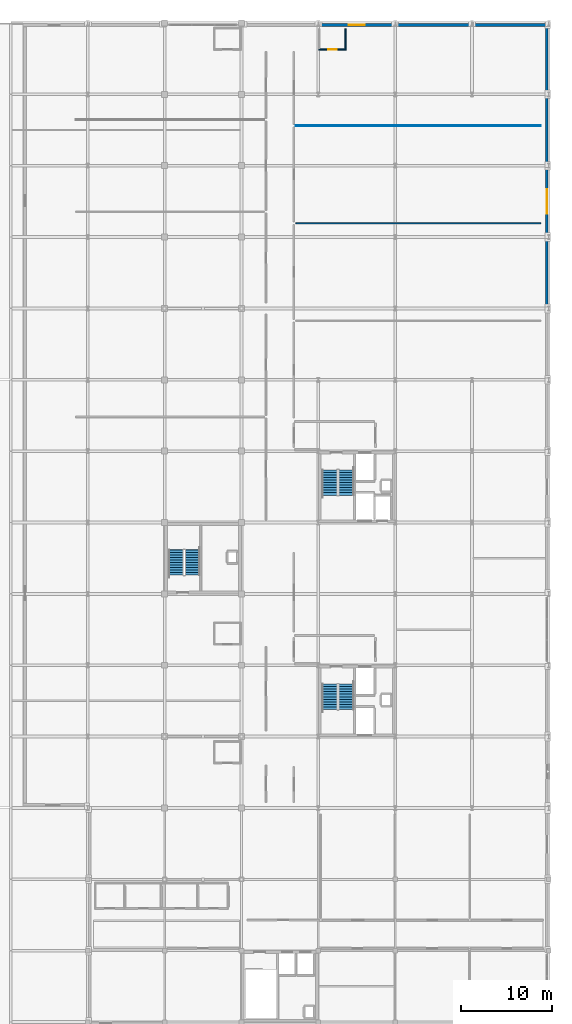
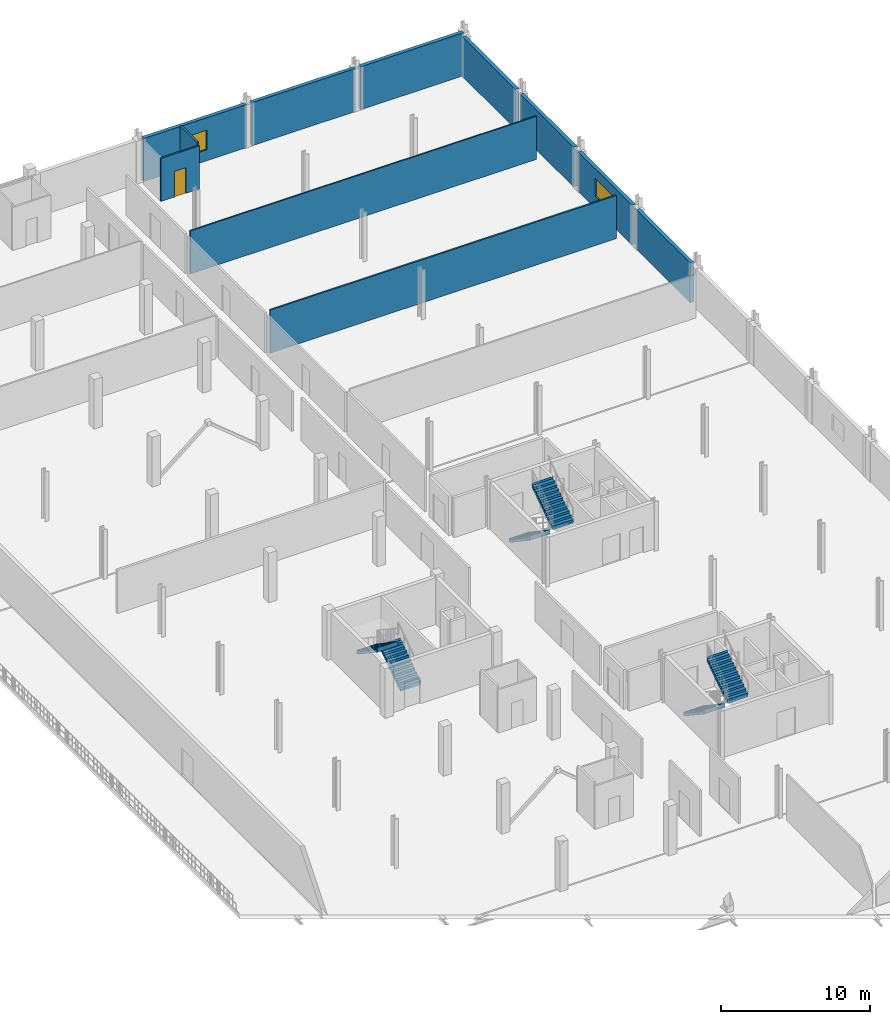
# One storey, part 32 of 41: 11 walls, 6 stair flights, 2 windows, 1 door, 3 openings, 3 elements without a shape of their own.
"""IFC4 building model written with IfcOpenShell, lengths in metres."""

from ifc_helpers import new_model, si_unit, direction, frame, frame_2d, origin, place, context, subcontext, project, spatial, polyline, rectangle, outline, extrude, material, layer, layer_set, type_object, element, fill, aggregate, save


model = new_model("IFC4")

# Units and contexts
model_context = context("Model", 3, precision=1e-05, world=origin(), true_north=direction((0.0, 1.0)))
body_context = subcontext(model_context, "Body", "Model", "MODEL_VIEW")
ifc_project = project(units=[si_unit("LENGTHUNIT", "METRE"), si_unit("AREAUNIT", "SQUARE_METRE"), si_unit("VOLUMEUNIT", "CUBIC_METRE"), si_unit("PLANEANGLEUNIT", "RADIAN"), si_unit("MASSUNIT", "GRAM", prefix="KILO")], contexts=[model_context])

# Site, building, storey
site_placement = place(None, origin())
site = spatial("IfcSite", under=ifc_project, at=site_placement, CompositionType="ELEMENT")
building_placement = place(site_placement, origin())
building = spatial("IfcBuilding", under=site, at=building_placement, Name="Nabrawat Pavilion Hospital", CompositionType="ELEMENT")
storey_placement = place(building_placement, frame((0.0, 0.0, 18.89990234375)))
storey = spatial("IfcBuildingStorey", under=building, at=storey_placement, Name="L04", CompositionType="ELEMENT", Elevation=18.89990234375)

# Wall
ifc_material_1 = material(Name="Gypsum Plasterboard on Stud", Category="gypsum")
ifc_layer_1 = layer(ifc_material_1, 0.10009765625, Name="Gypsum Plasterboard on Stud")
ifc_layer_set_1 = layer_set([ifc_layer_1], Name="Gypsum Plasterboard on Stud")
wall_type_1 = type_object("IfcWallType", Name="Clean Utility Sub-Partition 100", PredefinedType="PARTITIONING", material=ifc_layer_set_1)
wall_1_placement = place(storey_placement, frame((165.534912109375, 113.58740234375, 0.0), z_axis=(0.0, 0.0, 1.0), x_axis=(1.0, 0.0, 0.0)))
element("IfcWall", 1, at=wall_1_placement, inside=storey, type_object=wall_type_1, Name="L04 Paediatric Subspecialty Day-Treatment Ward L04-12 Dividing Partition", PredefinedType="PARTITIONING", context=body_context, shape_type="SweptSolid", body=[
    extrude(rectangle(XDim=26.775146484375, YDim=0.10009765625, at=frame_2d((13.3876953125, 0.0))), origin(), (0.0, 0.0, 1.0), 3.530029296875),
])

# Wall, opening, door
ifc_material_2 = material(Name="Cement Board on Steel Stud", Category="steel")
ifc_layer_2 = layer(ifc_material_2, 0.1298828125, Name="Cement Board on Steel Stud")
ifc_layer_set_2 = layer_set([ifc_layer_2], Name="Cement Board on Steel Stud")
wall_type_2 = type_object("IfcWallType", Name="En-Suite Moisture-Resistant Partition 130", PredefinedType="PARTITIONING", material=ifc_layer_set_2)
wall_2_placement = place(storey_placement, frame((168.050048828125, 121.909912109375, 0.0), z_axis=(0.0, 0.0, 1.0), x_axis=(1.0, 0.0, 0.0)))
wall_2 = element("IfcWall", 2, at=wall_2_placement, inside=storey, type_object=wall_type_2, Name="L04 En-Suite Bathroom WRD-PED-13 Front Partition", PredefinedType="PARTITIONING", context=body_context, shape_type="SweptSolid", body=[
    extrude(rectangle(XDim=2.97998046875, YDim=0.1298828125, at=frame_2d((1.489990234375, 0.0))), origin(), (0.0, 0.0, 1.0), 3.52001953125),
])
opening_1_placement = place(wall_2_placement, frame((1.0400390625, 0.0, 0.0)))
opening_1 = element("IfcOpeningElement", 3, at=opening_1_placement, cuts=wall_2, Name="Opening D-ENS-L", PredefinedType="OPENING", context=body_context, shape_type="SweptSolid", body=[
    extrude(rectangle(XDim=0.89990234375, YDim=2.10009765625, at=frame_2d((0.449951171875, 1.050048828125))), frame((0.0, 0.074951171875, 0.0), z_axis=(0.0, -1.0, 0.0), x_axis=(1.0, 0.0, 0.0)), (0.0, 0.0, 1.0), 0.14990234375),
])
ifc_material_3 = material(Name="Stainless-Clad Acoustic Timber and Vision Glass", Category="wood")
door_type = type_object("IfcDoorType", Name="En-Suite Bathroom Outward Door L 900x2100", OperationType="NOTDEFINED", PredefinedType="DOOR", material=ifc_material_3)
door_placement = place(opening_1_placement, origin())
door = element("IfcDoor", 4, at=door_placement, inside=storey, type_object=door_type, Name="En-Suite Bathroom WRD-PED-13 Door", OperationType="SINGLE_SWING_RIGHT", OverallHeight=2.10009765625, OverallWidth=0.89990234375, PredefinedType="DOOR", context=body_context, shape_type="SweptSolid", body=[
    extrude(rectangle(XDim=0.89990234375, YDim=2.10009765625, at=frame_2d((0.449951171875, 1.050048828125))), frame((0.0, 0.02490234375, 0.0), z_axis=(0.0, -1.0, 0.0), x_axis=(1.0, 0.0, 0.0)), (0.0, 0.0, 1.0), 0.050048828125),
])
fill(opening_1, door)

# Wall
wall_3_placement = place(storey_placement, frame((170.965087890625, 121.97509765625, 0.0), z_axis=(0.0, 0.0, 1.0), x_axis=(0.0, 1.0, 0.0)))
element("IfcWall", 5, at=wall_3_placement, inside=storey, type_object=wall_type_2, Name="L04 En-Suite Bathroom WRD-PED-13 East Partition", PredefinedType="PARTITIONING", context=body_context, shape_type="SweptSolid", body=[
    extrude(rectangle(XDim=2.219970703125, YDim=0.1298828125, at=frame_2d((1.10986328125, 0.0))), origin(), (0.0, 0.0, 1.0), 3.77001953125),
])

# Wall, opening, window
ifc_material_4 = material(Name="Precast concrete C40/50", Category="concrete")
ifc_layer_3 = layer(ifc_material_4, 0.280029296875, Name="Precast concrete C40/50")
ifc_layer_set_3 = layer_set([ifc_layer_3], Name="Precast concrete C40/50")
wall_type_3 = type_object("IfcWallType", Name="Insulated Precast Facade Wall 280", PredefinedType="SOLIDWALL", material=ifc_layer_set_3)
wall_4_placement = place(storey_placement, frame((168.199951171875, 124.580078125, 0.0), z_axis=(0.0, 0.0, 1.0), x_axis=(1.0, 0.0, 0.0)))
wall_4 = element("IfcWall", 6, at=wall_4_placement, inside=storey, type_object=wall_type_3, Name="L04 Insulated Precast Facade Wall 280 356", PredefinedType="SOLIDWALL", context=body_context, shape_type="SweptSolid", body=[
    extrude(rectangle(XDim=8.0, YDim=0.280029296875, at=frame_2d((4.0, 0.0))), origin(), (0.0, 0.0, 1.0), 3.52001953125),
])
opening_2_placement = place(wall_4_placement, frame((3.10009765625, 0.0, 0.89990234375)))
opening_2 = element("IfcOpeningElement", 7, at=opening_2_placement, cuts=wall_4, Name="Opening WN-02", PredefinedType="OPENING", context=body_context, shape_type="SweptSolid", body=[
    extrude(rectangle(XDim=1.800048828125, YDim=1.60009765625, at=frame_2d((0.89990234375, 0.800048828125))), frame((0.0, 0.14990234375, 0.0), z_axis=(0.0, -1.0, 0.0), x_axis=(1.0, 0.0, 0.0)), (0.0, 0.0, 1.0), 0.300048828125),
])
ifc_material_5 = material(Name="Thermally Broken Aluminium and Solar Glass", Category="aluminium")
window_type_1 = type_object("IfcWindowType", Name="Deep-Reveal Ward Twin Window 1800x1600", PartitioningType="SINGLE_PANEL", PredefinedType="WINDOW", material=ifc_material_5)
window_1_placement = place(opening_2_placement, origin())
window_1 = element("IfcWindow", 8, at=window_1_placement, inside=storey, type_object=window_type_1, Name="L04 Deep-Reveal Ward Twin Window 1800x1600 130", OverallHeight=1.60009765625, OverallWidth=1.800048828125, PartitioningType="SINGLE_PANEL", PredefinedType="WINDOW", context=body_context, shape_type="SweptSolid", body=[
    extrude(rectangle(XDim=1.800048828125, YDim=1.60009765625, at=frame_2d((0.89990234375, 0.800048828125))), frame((0.0, 0.030029296875, 0.0), z_axis=(0.0, -1.0, 0.0), x_axis=(1.0, 0.0, 0.0)), (0.0, 0.0, 1.0), 0.06005859375),
])
fill(opening_2, window_1)

# Walls
for number, where, z_axis, x_axis, name in (
    (9, (176.60009765625, 124.580078125, 0.0), (0.0, 0.0, 1.0), (1.0, 0.0, 0.0), "L04 Insulated Precast Facade Wall 280 357"),
    (10, (185.0, 124.580078125, 0.0), (0.0, 0.0, 1.0), (1.0, 0.0, 0.0), "L04 Insulated Precast Facade Wall 280 358"),
):
    element("IfcWall", number, at=place(storey_placement, frame(where, z_axis=z_axis, x_axis=x_axis)), inside=storey, type_object=wall_type_3, Name=name, PredefinedType="SOLIDWALL", context=body_context, shape_type="SweptSolid", body=[
        extrude(rectangle(XDim=8.0, YDim=0.280029296875, at=frame_2d((4.0, 0.0))), origin(), (0.0, 0.0, 1.0), 3.52001953125),
    ])
wall_5_placement = place(storey_placement, frame((192.97998046875, 93.89990234375, 0.0), z_axis=(0.0, 0.0, 1.0), x_axis=(0.0, 1.0, 0.0)))
element("IfcWall", 11, at=wall_5_placement, inside=storey, type_object=wall_type_3, Name="L04 Insulated Precast Facade Wall 280 378", PredefinedType="SOLIDWALL", context=body_context, shape_type="SweptSolid", body=[
    extrude(rectangle(XDim=7.2001953125, YDim=0.280029296875, at=frame_2d((3.60009765625, 0.0))), origin(), (0.0, 0.0, 1.0), 3.25),
])

# Wall, opening, window
wall_6_placement = place(storey_placement, frame((192.97998046875, 101.699951171875, 0.0), z_axis=(0.0, 0.0, 1.0), x_axis=(0.0, 1.0, 0.0)))
wall_6 = element("IfcWall", 12, at=wall_6_placement, inside=storey, type_object=wall_type_3, Name="L04 Insulated Precast Facade Wall 280 379", PredefinedType="SOLIDWALL", context=body_context, shape_type="SweptSolid", body=[
    extrude(rectangle(XDim=7.199951171875, YDim=0.280029296875, at=frame_2d((3.60009765625, 0.0))), origin(), (0.0, 0.0, 1.0), 3.25),
])
opening_3_placement = place(wall_6_placement, frame((2.25, 0.0, 1.0)))
opening_3 = element("IfcOpeningElement", 13, at=opening_3_placement, cuts=wall_6, Name="Opening WN-09", PredefinedType="OPENING", context=body_context, shape_type="SweptSolid", body=[
    extrude(rectangle(XDim=2.699951171875, YDim=1.449951171875, at=frame_2d((1.35009765625, 0.72509765625))), frame((0.0, 0.14990234375, 0.0), z_axis=(0.0, -1.0, 0.0), x_axis=(1.0, 0.0, 0.0)), (0.0, 0.0, 1.0), 0.300048828125),
])
window_type_2 = type_object("IfcWindowType", Name="Surgical PACU Ribbon Window 2700x1450", PartitioningType="SINGLE_PANEL", PredefinedType="WINDOW", material=ifc_material_5)
window_2_placement = place(opening_3_placement, origin())
window_2 = element("IfcWindow", 14, at=window_2_placement, inside=storey, type_object=window_type_2, Name="L04 Surgical PACU Ribbon Window 2700x1450 137", OverallHeight=1.449951171875, OverallWidth=2.699951171875, PartitioningType="SINGLE_PANEL", PredefinedType="WINDOW", context=body_context, shape_type="SweptSolid", body=[
    extrude(rectangle(XDim=2.699951171875, YDim=1.449951171875, at=frame_2d((1.35009765625, 0.72509765625))), frame((0.0, 0.030029296875, 0.0), z_axis=(0.0, -1.0, 0.0), x_axis=(1.0, 0.0, 0.0)), (0.0, 0.0, 1.0), 0.06005859375),
])
fill(opening_3, window_2)

# Walls
wall_7_placement = place(storey_placement, frame((192.97998046875, 109.5, 0.0), z_axis=(0.0, 0.0, 1.0), x_axis=(0.0, 1.0, 0.0)))
element("IfcWall", 15, at=wall_7_placement, inside=storey, type_object=wall_type_3, Name="L04 Insulated Precast Facade Wall 280 380", PredefinedType="SOLIDWALL", context=body_context, shape_type="SweptSolid", body=[
    extrude(rectangle(XDim=7.199951171875, YDim=0.280029296875, at=frame_2d((3.60009765625, 0.0))), origin(), (0.0, 0.0, 1.0), 3.25),
])
wall_8_placement = place(storey_placement, frame((192.97998046875, 117.300048828125, 0.0), z_axis=(0.0, 0.0, 1.0), x_axis=(0.0, 1.0, 0.0)))
element("IfcWall", 16, at=wall_8_placement, inside=storey, type_object=wall_type_3, Name="L04 Insulated Precast Facade Wall 280 381", PredefinedType="SOLIDWALL", context=body_context, shape_type="SweptSolid", body=[
    extrude(rectangle(XDim=7.06005859375, YDim=0.280029296875, at=frame_2d((3.530029296875, 0.0))), origin(), (0.0, 0.0, 1.0), 3.25),
])
ifc_layer_4 = layer(ifc_material_1, 0.1201171875, Name="Gypsum Plasterboard on Stud")
ifc_layer_set_4 = layer_set([ifc_layer_4], Name="Gypsum Plasterboard on Stud")
wall_type_4 = type_object("IfcWallType", Name="Outpatient Consultation Partition 120", PredefinedType="PARTITIONING", material=ifc_layer_set_4)
wall_9_placement = place(storey_placement, frame((165.534912109375, 102.9150390625, 0.0), z_axis=(0.0, 0.0, 1.0), x_axis=(1.0, 0.0, 0.0)))
element("IfcWall", 17, at=wall_9_placement, inside=storey, type_object=wall_type_4, Name="L04 Paediatric Therapeutic Activity Room L04-11 Dividing Partition", PredefinedType="PARTITIONING", context=body_context, shape_type="SweptSolid", body=[
    extrude(rectangle(XDim=26.775146484375, YDim=0.1201171875, at=frame_2d((13.3876953125, 0.0))), origin(), (0.0, 0.0, 1.0), 3.530029296875),
])

# Stair, stair flights
ifc_material_6 = material(Name="Concrete C35/45", Category="concrete")
stair_type = type_object("IfcStairType", Name="Ward Upper Dogleg Escape Stair Assembly", PredefinedType="HALF_TURN_STAIR", material=ifc_material_6)
stair_1_placement = place(storey_placement, origin())
stair_1 = element("IfcStair", 18, at=stair_1_placement, inside=storey, type_object=stair_type, Name="L04 Inpatient South Firefighting Core 5", PredefinedType="HALF_TURN_STAIR")
stair_flight_type = type_object("IfcStairFlightType", Name="Reinforced Concrete Escape Stair Flight 1600", PredefinedType="STRAIGHT", material=ifc_material_6)
stair_flight_1_placement = place(storey_placement, frame((169.25, 52.530029296875, 0.0), z_axis=(0.0, 0.0, 1.0), x_axis=(0.0, -1.0, 0.0)))
stair_flight_1 = element("IfcStairFlight", 19, at=stair_flight_1_placement, type_object=stair_flight_type, Name="ST-05 flight 1", NumberOfRisers=11, NumberOfTreads=10, PredefinedType="STRAIGHT", RiserHeight=0.184090909, TreadLength=0.275, context=body_context, shape_type="SweptSolid", body=[
    extrude(outline(polyline([(-0.008056640625, 0.0), (0.0, 0.0), (0.0, 0.18408203125), (0.27490234375, 0.18408203125), (0.27490234375, 0.3681640625), (0.550048828125, 0.3681640625), (0.550048828125, 0.55224609375), (0.824951171875, 0.55224609375), (0.824951171875, 0.736328125), (1.10009765625, 0.736328125), (1.10009765625, 0.92041015625), (1.375, 0.92041015625), (1.375, 1.1044921875), (1.64990234375, 1.1044921875), (1.64990234375, 1.28857421875), (1.925048828125, 1.28857421875), (1.925048828125, 1.47265625), (2.199951171875, 1.47265625), (2.199951171875, 1.65673828125), (2.47509765625, 1.65673828125), (2.47509765625, 1.8408203125), (2.75, 1.8408203125), (2.75, 2.02490234375), (2.758056640625, 2.02490234375), (2.758056640625, 1.875), (2.75, 1.660400390625), (0.26953125, 0.0), (-0.008056640625, -0.1201171875), (-0.008056640625, 0.0)])), frame((0.0, 0.800048828125, 0.0), z_axis=(0.0, -1.0, 0.0), x_axis=(1.0, 0.0, 0.0)), (0.0, 0.0, 1.0), 1.60009765625),
])
stair_flight_2_placement = place(storey_placement, frame((171.050048828125, 49.780029296875, 2.025146484375), z_axis=(0.0, 0.0, 1.0), x_axis=(0.0, 1.0, 0.0)))
stair_flight_2 = element("IfcStairFlight", 20, at=stair_flight_2_placement, type_object=stair_flight_type, Name="ST-05 flight 2", NumberOfRisers=11, NumberOfTreads=10, PredefinedType="STRAIGHT", RiserHeight=0.184090909, TreadLength=0.275, context=body_context, shape_type="SweptSolid", body=[
    extrude(outline(polyline([(-0.008056640625, 0.0), (0.0, 0.0), (0.0, 0.18408203125), (0.27490234375, 0.18408203125), (0.27490234375, 0.3681640625), (0.550048828125, 0.3681640625), (0.550048828125, 0.55224609375), (0.824951171875, 0.55224609375), (0.824951171875, 0.736328125), (1.10009765625, 0.736328125), (1.10009765625, 0.92041015625), (1.375, 0.92041015625), (1.375, 1.1044921875), (1.64990234375, 1.1044921875), (1.64990234375, 1.28857421875), (1.925048828125, 1.28857421875), (1.925048828125, 1.47265625), (2.199951171875, 1.47265625), (2.199951171875, 1.65673828125), (2.47509765625, 1.65673828125), (2.47509765625, 1.8408203125), (2.75, 1.8408203125), (2.75, 2.02490234375), (2.758056640625, 2.02490234375), (2.758056640625, 1.875), (2.75, 1.660400390625), (0.26953125, 0.0), (-0.008056640625, -0.1201171875), (-0.008056640625, 0.0)])), frame((0.0, 0.800048828125, 0.0), z_axis=(0.0, -1.0, 0.0), x_axis=(1.0, 0.0, 0.0)), (0.0, 0.0, 1.0), 1.60009765625),
])
aggregate(stair_1, [stair_flight_1, stair_flight_2])

stair_2_placement = place(storey_placement, origin())
stair_2 = element("IfcStair", 21, at=stair_2_placement, inside=storey, type_object=stair_type, Name="L04 Inpatient North Firefighting Core 6", PredefinedType="HALF_TURN_STAIR")
stair_flight_3_placement = place(storey_placement, frame((169.25, 75.929931640625, 0.0), z_axis=(0.0, 0.0, 1.0), x_axis=(0.0, -1.0, 0.0)))
stair_flight_3 = element("IfcStairFlight", 22, at=stair_flight_3_placement, type_object=stair_flight_type, Name="ST-06 flight 1", NumberOfRisers=11, NumberOfTreads=10, PredefinedType="STRAIGHT", RiserHeight=0.184090909, TreadLength=0.275, context=body_context, shape_type="SweptSolid", body=[
    extrude(outline(polyline([(-0.008056640625, 0.0), (0.0, 0.0), (0.0, 0.18408203125), (0.27490234375, 0.18408203125), (0.27490234375, 0.3681640625), (0.550048828125, 0.3681640625), (0.550048828125, 0.55224609375), (0.824951171875, 0.55224609375), (0.824951171875, 0.736328125), (1.10009765625, 0.736328125), (1.10009765625, 0.92041015625), (1.375, 0.92041015625), (1.375, 1.1044921875), (1.64990234375, 1.1044921875), (1.64990234375, 1.28857421875), (1.925048828125, 1.28857421875), (1.925048828125, 1.47265625), (2.199951171875, 1.47265625), (2.199951171875, 1.65673828125), (2.47509765625, 1.65673828125), (2.47509765625, 1.8408203125), (2.75, 1.8408203125), (2.75, 2.02490234375), (2.758056640625, 2.02490234375), (2.758056640625, 1.875), (2.75, 1.660400390625), (0.26953125, 0.0), (-0.008056640625, -0.1201171875), (-0.008056640625, 0.0)])), frame((0.0, 0.800048828125, 0.0), z_axis=(0.0, -1.0, 0.0), x_axis=(1.0, 0.0, 0.0)), (0.0, 0.0, 1.0), 1.60009765625),
])
stair_flight_4_placement = place(storey_placement, frame((171.050048828125, 73.179931640625, 2.025146484375), z_axis=(0.0, 0.0, 1.0), x_axis=(0.0, 1.0, 0.0)))
stair_flight_4 = element("IfcStairFlight", 23, at=stair_flight_4_placement, type_object=stair_flight_type, Name="ST-06 flight 2", NumberOfRisers=11, NumberOfTreads=10, PredefinedType="STRAIGHT", RiserHeight=0.184090909, TreadLength=0.275, context=body_context, shape_type="SweptSolid", body=[
    extrude(outline(polyline([(-0.008056640625, 0.0), (0.0, 0.0), (0.0, 0.18408203125), (0.27490234375, 0.18408203125), (0.27490234375, 0.3681640625), (0.550048828125, 0.3681640625), (0.550048828125, 0.55224609375), (0.824951171875, 0.55224609375), (0.824951171875, 0.736328125), (1.10009765625, 0.736328125), (1.10009765625, 0.92041015625), (1.375, 0.92041015625), (1.375, 1.1044921875), (1.64990234375, 1.1044921875), (1.64990234375, 1.28857421875), (1.925048828125, 1.28857421875), (1.925048828125, 1.47265625), (2.199951171875, 1.47265625), (2.199951171875, 1.65673828125), (2.47509765625, 1.65673828125), (2.47509765625, 1.8408203125), (2.75, 1.8408203125), (2.75, 2.02490234375), (2.758056640625, 2.02490234375), (2.758056640625, 1.875), (2.75, 1.660400390625), (0.26953125, 0.0), (-0.008056640625, -0.1201171875), (-0.008056640625, 0.0)])), frame((0.0, 0.800048828125, 0.0), z_axis=(0.0, -1.0, 0.0), x_axis=(1.0, 0.0, 0.0)), (0.0, 0.0, 1.0), 1.60009765625),
])
aggregate(stair_2, [stair_flight_3, stair_flight_4])

stair_3_placement = place(storey_placement, origin())
stair_3 = element("IfcStair", 24, at=stair_3_placement, inside=storey, type_object=stair_type, Name="L04 Inpatient West Escape Stair Core 9", PredefinedType="HALF_TURN_STAIR")
stair_flight_5_placement = place(storey_placement, frame((154.25, 64.469970703125, 0.0), z_axis=(0.0, 0.0, 1.0), x_axis=(0.0, 1.0, 0.0)))
stair_flight_5 = element("IfcStairFlight", 25, at=stair_flight_5_placement, type_object=stair_flight_type, Name="ST-09 flight 1", NumberOfRisers=11, NumberOfTreads=10, PredefinedType="STRAIGHT", RiserHeight=0.184090909, TreadLength=0.275, context=body_context, shape_type="SweptSolid", body=[
    extrude(outline(polyline([(-0.008056640625, 0.0), (0.0, 0.0), (0.0, 0.18408203125), (0.27490234375, 0.18408203125), (0.27490234375, 0.3681640625), (0.550048828125, 0.3681640625), (0.550048828125, 0.55224609375), (0.824951171875, 0.55224609375), (0.824951171875, 0.736328125), (1.10009765625, 0.736328125), (1.10009765625, 0.92041015625), (1.375, 0.92041015625), (1.375, 1.1044921875), (1.64990234375, 1.1044921875), (1.64990234375, 1.28857421875), (1.925048828125, 1.28857421875), (1.925048828125, 1.47265625), (2.199951171875, 1.47265625), (2.199951171875, 1.65673828125), (2.47509765625, 1.65673828125), (2.47509765625, 1.8408203125), (2.75, 1.8408203125), (2.75, 2.02490234375), (2.758056640625, 2.02490234375), (2.758056640625, 1.875), (2.75, 1.660400390625), (0.26953125, 0.0), (-0.008056640625, -0.1201171875), (-0.008056640625, 0.0)])), frame((0.0, 0.800048828125, 0.0), z_axis=(0.0, -1.0, 0.0), x_axis=(1.0, 0.0, 0.0)), (0.0, 0.0, 1.0), 1.60009765625),
])
stair_flight_6_placement = place(storey_placement, frame((152.449951171875, 67.219970703125, 2.025146484375), z_axis=(0.0, 0.0, 1.0), x_axis=(0.0, -1.0, 0.0)))
stair_flight_6 = element("IfcStairFlight", 26, at=stair_flight_6_placement, type_object=stair_flight_type, Name="ST-09 flight 2", NumberOfRisers=11, NumberOfTreads=10, PredefinedType="STRAIGHT", RiserHeight=0.184090909, TreadLength=0.275, context=body_context, shape_type="SweptSolid", body=[
    extrude(outline(polyline([(-0.008056640625, 0.0), (0.0, 0.0), (0.0, 0.18408203125), (0.27490234375, 0.18408203125), (0.27490234375, 0.3681640625), (0.550048828125, 0.3681640625), (0.550048828125, 0.55224609375), (0.824951171875, 0.55224609375), (0.824951171875, 0.736328125), (1.10009765625, 0.736328125), (1.10009765625, 0.92041015625), (1.375, 0.92041015625), (1.375, 1.1044921875), (1.64990234375, 1.1044921875), (1.64990234375, 1.28857421875), (1.925048828125, 1.28857421875), (1.925048828125, 1.47265625), (2.199951171875, 1.47265625), (2.199951171875, 1.65673828125), (2.47509765625, 1.65673828125), (2.47509765625, 1.8408203125), (2.75, 1.8408203125), (2.75, 2.02490234375), (2.758056640625, 2.02490234375), (2.758056640625, 1.875), (2.75, 1.660400390625), (0.26953125, 0.0), (-0.008056640625, -0.1201171875), (-0.008056640625, 0.0)])), frame((0.0, 0.800048828125, 0.0), z_axis=(0.0, -1.0, 0.0), x_axis=(1.0, 0.0, 0.0)), (0.0, 0.0, 1.0), 1.60009765625),
])
aggregate(stair_3, [stair_flight_5, stair_flight_6])

save(model, "model.ifc")
